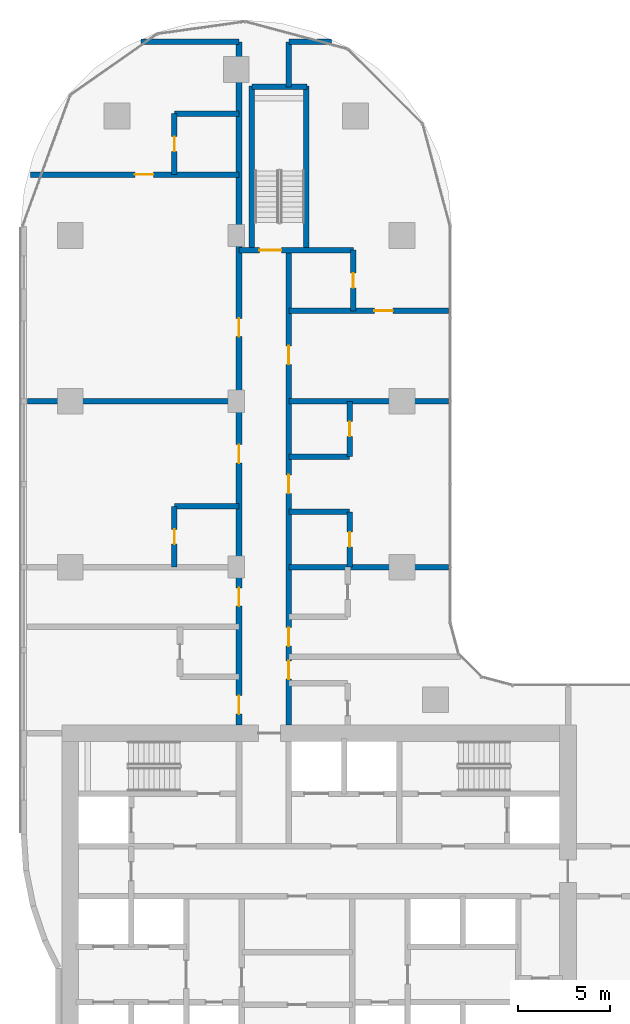
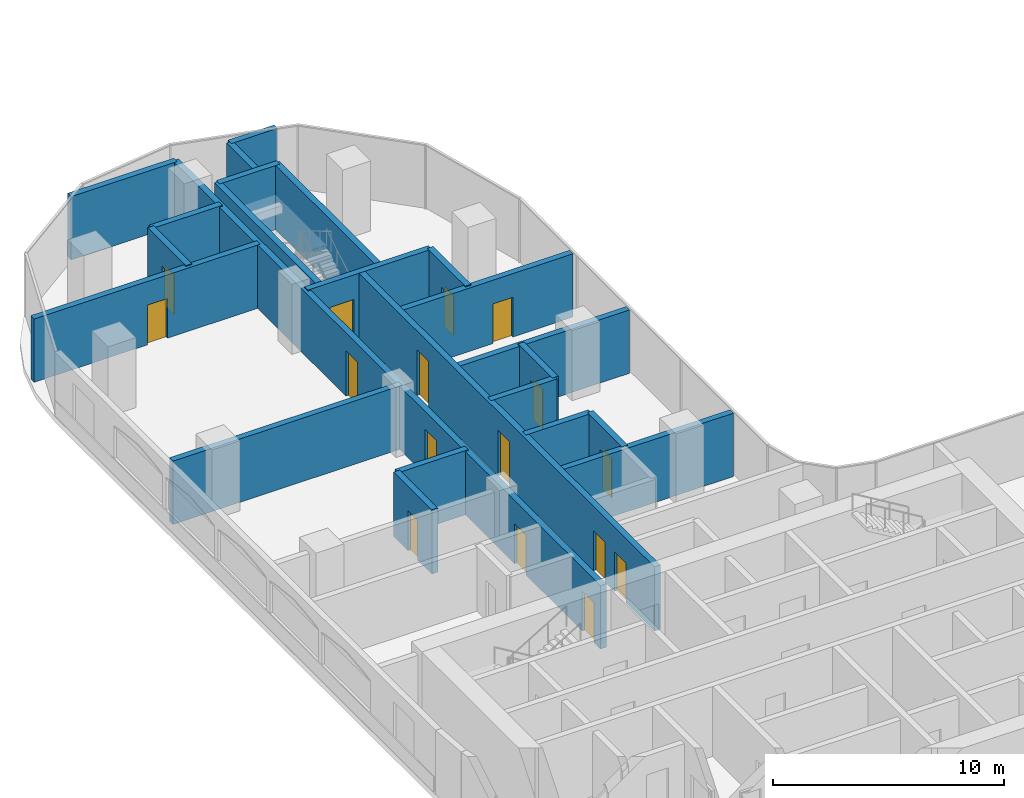
# One storey, part 21 of 34: 23 walls, 16 doors, 16 openings.
"""IFC4 building model written with IfcOpenShell, lengths in metres."""

import ifcopenshell
import ifcopenshell.guid

model = None  # the IFC model being written
_history = None  # IfcOwnerHistory: only IFC2X3 demands one
_inside = {}  # id of a spatial element -> (the spatial element, [elements in it])
_under = {}  # id of a project, library or spatial element -> (it, [spatial elements below it])
_declared = {}  # id of a project -> (the project, [libraries it declares])
_typed = {}  # id of a type object -> (the type object, [elements of that type])
_made_of = {}  # id of a material, layer set ... -> (it, [elements and type objects made of it])


def new_model(schema):
    """Start an empty IFC model of exactly this schema.

    Asked for "IFC4X3", IfcOpenShell would pick the latest addendum, in which some entities
    have other attributes; the version numbers below select the first issue.
    IFC2X3 requires an IfcOwnerHistory on every rooted entity: one is made here for all.
    """
    global model, _history
    if schema == "IFC4X3":
        model = ifcopenshell.file(schema_version=(4, 3, 0, 0))
    else:
        model = ifcopenshell.file(schema=schema)
    _inside.clear()
    _under.clear()
    _declared.clear()
    _typed.clear()
    _made_of.clear()
    _history = None
    if model.schema == "IFC2X3":
        org = make("IfcOrganization", Name="unknown")
        user = make(
            "IfcPersonAndOrganization",
            ThePerson=make("IfcPerson", FamilyName="unknown"),
            TheOrganization=org,
        )
        app = make(
            "IfcApplication",
            ApplicationDeveloper=org,
            Version="unknown",
            ApplicationFullName="unknown",
            ApplicationIdentifier="unknown",
        )
        _history = make(
            "IfcOwnerHistory",
            OwningUser=user,
            OwningApplication=app,
            ChangeAction="ADDED",
            CreationDate=0,
        )
    return model


def make(cls, **values):
    """One entity of the class cls with the attributes given. An attribute that is None is left unset."""
    return model.create_entity(
        cls, **{name: value for name, value in values.items() if value is not None}
    )


def rooted(cls, **values):
    """An entity with a GlobalId (a new one), such as an element, a storey or a relation."""
    return make(cls, GlobalId=ifcopenshell.guid.new(), OwnerHistory=_history, **values)


def si_unit(unit_type, name, prefix=None):
    """IfcSIUnit, for example si_unit("LENGTHUNIT", "METRE", prefix="MILLI")."""
    return make("IfcSIUnit", UnitType=unit_type, Prefix=prefix, Name=name)


def assignment(units):
    """IfcUnitAssignment: the units of a project."""
    return None if units is None else make("IfcUnitAssignment", Units=units)


def point(xyz):
    """IfcCartesianPoint."""
    return None if xyz is None else make("IfcCartesianPoint", Coordinates=xyz)


def direction(xyz):
    """IfcDirection."""
    return None if xyz is None else make("IfcDirection", DirectionRatios=xyz)


def frame(location, z_axis=None, x_axis=None):
    """IfcAxis2Placement3D, a coordinate frame: its origin and axes. An axis left out is left unset."""
    return make(
        "IfcAxis2Placement3D",
        Location=point(location),
        Axis=direction(z_axis),
        RefDirection=direction(x_axis),
    )


def frame_2d(location, x_axis=None):
    """IfcAxis2Placement2D, a coordinate frame in the plane: its origin and x axis."""
    return make(
        "IfcAxis2Placement2D", Location=point(location), RefDirection=direction(x_axis)
    )


def origin():
    """The frame at (0, 0, 0) with its axes left unset."""
    return frame((0.0, 0.0, 0.0))


def place(relative_to, where):
    """IfcLocalPlacement: puts the frame where relative to a parent placement (None: the world)."""
    return make(
        "IfcLocalPlacement", PlacementRelTo=relative_to, RelativePlacement=where
    )


def context(
    kind, dimensions, precision=None, world=None, true_north=None, identifier=None
):
    """IfcGeometricRepresentationContext, for example the 3D "Model" context."""
    return make(
        "IfcGeometricRepresentationContext",
        ContextIdentifier=identifier,
        ContextType=kind,
        CoordinateSpaceDimension=dimensions,
        Precision=precision,
        WorldCoordinateSystem=world,
        TrueNorth=true_north,
    )


def subcontext(parent, identifier, kind, view, scale=None):
    """IfcGeometricRepresentationSubContext, for example "Body" below "Model"."""
    return make(
        "IfcGeometricRepresentationSubContext",
        ContextIdentifier=identifier,
        ContextType=kind,
        ParentContext=parent,
        TargetScale=scale,
        TargetView=view,
    )


def project(units=None, contexts=None):
    """IfcProject with its units and contexts."""
    return rooted(
        "IfcProject",
        Name="project",
        RepresentationContexts=contexts,
        UnitsInContext=assignment(units),
    )


def spatial(cls, under=None, at=None, **own):
    """A site, building, storey or space (cls), placed at a placement, below another one or the project."""
    s = rooted(cls, ObjectPlacement=at, **own)
    if under is not None:
        _under.setdefault(under.id(), (under, []))[1].append(s)
    return s


def profile(cls, at=None, kind="AREA", **sizes):
    """A parametric profile (cls). Its sizes go by their IFC names, for example OverallWidth=200.0."""
    return make(cls, ProfileType=kind, Position=at, **sizes)


def rectangle(**sizes):
    """IfcRectangleProfileDef."""
    return profile("IfcRectangleProfileDef", **sizes)


def extrude(swept, where, along, depth):
    """IfcExtrudedAreaSolid: the profile swept, set in the frame where, extruded along a direction by depth."""
    return make(
        "IfcExtrudedAreaSolid",
        SweptArea=swept,
        Position=where,
        ExtrudedDirection=direction(along),
        Depth=depth,
    )


def shape(context_of_items, identifier, shape_type, items):
    """IfcShapeRepresentation: the items that make up one representation, for example the "Body"."""
    return make(
        "IfcShapeRepresentation",
        ContextOfItems=context_of_items,
        RepresentationIdentifier=identifier,
        RepresentationType=shape_type,
        Items=items,
    )


def material(Name=None, Category=None):
    """IfcMaterial."""
    return make("IfcMaterial", Name=Name, Category=Category)


def layer(
    of_material, thickness, ventilated=None, Name=None, Category=None, Priority=None
):
    """IfcMaterialLayer: one layer of a wall or slab, of a material (None: an air gap)."""
    return make(
        "IfcMaterialLayer",
        Material=of_material,
        LayerThickness=thickness,
        IsVentilated=ventilated,
        Name=Name,
        Category=Category,
        Priority=Priority,
    )


def layer_set(layers, Name=None):
    """IfcMaterialLayerSet."""
    return make("IfcMaterialLayerSet", MaterialLayers=layers, LayerSetName=Name)


def made_of(thing, what):
    """Note that an element or type object is made of a material, layer set ...; save() writes the relation."""
    if what is not None:
        _made_of.setdefault(what.id(), (what, []))[1].append(thing)
    return thing


def type_object(cls, material=None, **own):
    """A type object (cls), such as IfcWallType, which elements share."""
    return made_of(rooted(cls, **own), material)


def element(
    cls,
    number,
    at=None,
    inside=None,
    cuts=None,
    type_object=None,
    material=None,
    context=None,
    identifier="Body",
    shape_type=None,
    held_by="IfcProductDefinitionShape",
    body=None,
    shapes=None,
    **own,
):
    """One element of the class cls, such as IfcWall. Its Tag is "e" and its number.

    at: its placement. inside: the storey or other place that contains it. cuts: it is an
    opening in that element (IfcRelVoidsElement). A single representation is given by context,
    identifier, shape_type and body (its items); several are given by shapes. held_by: the class
    of the entity that holds the representations. save() writes the other relations.
    """
    e = rooted(cls, Tag="e%d" % number, ObjectPlacement=at, **own)
    if body is not None:
        shapes = [shape(context, identifier, shape_type, body)]
    if shapes is not None:
        e.Representation = make(held_by, Representations=shapes)
    if inside is not None:
        _inside.setdefault(inside.id(), (inside, []))[1].append(e)
    if cuts is not None:
        rooted(
            "IfcRelVoidsElement", RelatingBuildingElement=cuts, RelatedOpeningElement=e
        )
    if type_object is not None:
        _typed.setdefault(type_object.id(), (type_object, []))[1].append(e)
    return made_of(e, material)


def fill(opening, filler):
    """IfcRelFillsElement: the door or window that sits in an opening."""
    return rooted(
        "IfcRelFillsElement",
        RelatingOpeningElement=opening,
        RelatedBuildingElement=filler,
    )


def aggregate(whole, parts):
    """IfcRelAggregates: a whole, such as a stair, and the parts it consists of."""
    return rooted("IfcRelAggregates", RelatingObject=whole, RelatedObjects=parts)


def save(model, path):
    """Write the relations noted so far, then the file.

    IfcRelAggregates (storeys below a building ...), IfcRelContainedInSpatialStructure (elements
    in a storey), IfcRelDefinesByType, IfcRelAssociatesMaterial and IfcRelDeclares: one each for
    every whole, place, type object, material and project.
    """
    for whole, parts in _under.values():
        aggregate(whole, parts)
    for where, things in _inside.values():
        rooted(
            "IfcRelContainedInSpatialStructure",
            RelatedElements=things,
            RelatingStructure=where,
        )
    for kind, things in _typed.values():
        rooted("IfcRelDefinesByType", RelatedObjects=things, RelatingType=kind)
    for what, things in _made_of.values():
        rooted("IfcRelAssociatesMaterial", RelatedObjects=things, RelatingMaterial=what)
    for by, libraries in _declared.values():
        rooted("IfcRelDeclares", RelatingContext=by, RelatedDefinitions=libraries)
    model.write(path)


model = new_model("IFC4")

# Units and contexts
model_context = context("Model", 3, precision=1e-05, world=origin(), true_north=direction((0.0, 1.0)))
body_context = subcontext(model_context, "Body", "Model", "MODEL_VIEW")
ifc_project = project(units=[si_unit("LENGTHUNIT", "METRE"), si_unit("AREAUNIT", "SQUARE_METRE"), si_unit("VOLUMEUNIT", "CUBIC_METRE"), si_unit("PLANEANGLEUNIT", "RADIAN"), si_unit("MASSUNIT", "GRAM", prefix="KILO")], contexts=[model_context])

# Site, building, storey
site_placement = place(None, origin())
site = spatial("IfcSite", under=ifc_project, at=site_placement, CompositionType="ELEMENT")
building_placement = place(site_placement, origin())
building = spatial("IfcBuilding", under=site, at=building_placement, Name="Ogive Portal Towers", CompositionType="ELEMENT")
storey_placement = place(building_placement, frame((0.0, 0.0, 66.800048828125)))
storey = spatial("IfcBuildingStorey", under=building, at=storey_placement, Name="L15", CompositionType="ELEMENT", Elevation=66.800048828125)

# Wall, opening, door
ifc_material_1 = material(Name="Concrete C50/60", Category="concrete")
ifc_layer_1 = layer(ifc_material_1, 0.300048828125)
ifc_layer_set_1 = layer_set([ifc_layer_1], Name="STAIR WALL 300 C50")
wall_type_1 = type_object("IfcWallType", Name="STAIR WALL 300 C50", PredefinedType="SHEAR", material=ifc_layer_set_1)
wall_1_placement = place(storey_placement, frame((40.64990234375, 65.699951171875, 0.0), z_axis=(0.0, 0.0, 1.0), x_axis=(1.0, 0.0, 0.0)))
wall_1 = element("IfcWall", 1, at=wall_1_placement, inside=storey, type_object=wall_type_1, Name="Stair wall ST-A3 L15", PredefinedType="SHEAR", context=body_context, shape_type="SweptSolid", body=[
    extrude(rectangle(XDim=6.2001953125, YDim=0.300048828125, at=frame_2d((3.10009765625, 0.0))), origin(), (0.0, 0.0, 1.0), 3.39990234375),
])
opening_1_placement = place(wall_1_placement, frame((1.10009765625, 0.0, 0.0)))
opening_1 = element("IfcOpeningElement", 2, at=opening_1_placement, cuts=wall_1, Name="Opening D04-064", PredefinedType="OPENING", context=body_context, shape_type="SweptSolid", body=[
    extrude(rectangle(XDim=1.199951171875, YDim=2.10009765625, at=frame_2d((0.60009765625, 1.050048828125))), frame((0.0, 0.16015625, 0.0), z_axis=(0.0, -1.0, 0.0), x_axis=(1.0, 0.0, 0.0)), (0.0, 0.0, 1.0), 0.320068359375),
])
ifc_material_2 = material(Name="Steel fire door", Category="steel")
door_type_1 = type_object("IfcDoorType", Name="DT-STAIR-1200x2100-FD90S", OperationType="SINGLE_SWING_LEFT", PredefinedType="DOOR", material=ifc_material_2)
door_1_placement = place(opening_1_placement, origin())
door_1 = element("IfcDoor", 3, at=door_1_placement, inside=storey, type_object=door_type_1, Name="Door D04-064", OperationType="SINGLE_SWING_RIGHT", OverallHeight=2.10009765625, OverallWidth=1.199951171875, PredefinedType="DOOR", context=body_context, shape_type="SweptSolid", body=[
    extrude(rectangle(XDim=1.199951171875, YDim=2.10009765625, at=frame_2d((0.60009765625, 1.050048828125))), frame((0.0, 0.02490234375, 0.0), z_axis=(0.0, -1.0, 0.0), x_axis=(1.0, 0.0, 0.0)), (0.0, 0.0, 1.0), 0.050048828125),
])
fill(opening_1, door_1)

# Walls
wall_2_placement = place(storey_placement, frame((41.35009765625, 74.550048828125, 0.0), z_axis=(0.0, 0.0, 1.0), x_axis=(1.0, 0.0, 0.0)))
element("IfcWall", 4, at=wall_2_placement, inside=storey, type_object=wall_type_1, Name="Stair wall ST-A3 L15", PredefinedType="SHEAR", context=body_context, shape_type="SweptSolid", body=[
    extrude(rectangle(XDim=3.0, YDim=0.300048828125, at=frame_2d((1.5, 0.0))), origin(), (0.0, 0.0, 1.0), 3.39990234375),
])
wall_3_placement = place(storey_placement, frame((41.35009765625, 65.75, 0.0), z_axis=(0.0, 0.0, 1.0), x_axis=(0.0, 1.0, 0.0)))
element("IfcWall", 5, at=wall_3_placement, inside=storey, type_object=wall_type_1, Name="Stair wall ST-A3 L15", PredefinedType="SHEAR", context=body_context, shape_type="SweptSolid", body=[
    extrude(rectangle(XDim=8.85009765625, YDim=0.300048828125, at=frame_2d((4.425048828125, 0.0))), origin(), (0.0, 0.0, 1.0), 3.39990234375),
])
wall_4_placement = place(storey_placement, frame((44.300048828125, 65.699951171875, 0.0), z_axis=(0.0, 0.0, 1.0), x_axis=(0.0, 1.0, 0.0)))
element("IfcWall", 6, at=wall_4_placement, inside=storey, type_object=wall_type_1, Name="Stair wall ST-A3 L15", PredefinedType="SHEAR", context=body_context, shape_type="SweptSolid", body=[
    extrude(rectangle(XDim=8.900146484375, YDim=0.300048828125, at=frame_2d((4.4501953125, 0.0))), origin(), (0.0, 0.0, 1.0), 3.39990234375),
])
ifc_material_3 = material(Name="Gypsum board partition on steel studs", Category="steel")
ifc_layer_2 = layer(ifc_material_3, 0.300048828125)
ifc_layer_set_2 = layer_set([ifc_layer_2], Name="WT-PART-300-EI 60")
wall_type_2 = type_object("IfcWallType", Name="WT-PART-300-EI 60", PredefinedType="PARTITIONING", material=ifc_layer_set_2)
wall_5_placement = place(storey_placement, frame((43.35009765625, 48.5, 0.0), z_axis=(0.0, 0.0, 1.0), x_axis=(1.0, 0.0, 0.0)))
element("IfcWall", 7, at=wall_5_placement, inside=storey, type_object=wall_type_2, Name="Wall L15:w020", PredefinedType="PARTITIONING", context=body_context, shape_type="SweptSolid", body=[
    extrude(rectangle(XDim=8.659912109375, YDim=0.300048828125, at=frame_2d((4.330078125, 0.0))), origin(), (0.0, 0.0, 1.0), 3.349853515625),
])
wall_6_placement = place(storey_placement, frame((43.35009765625, 51.5, 0.0), z_axis=(0.0, 0.0, 1.0), x_axis=(1.0, 0.0, 0.0)))
element("IfcWall", 8, at=wall_6_placement, inside=storey, type_object=wall_type_2, Name="Wall L15:w021", PredefinedType="PARTITIONING", context=body_context, shape_type="SweptSolid", body=[
    extrude(rectangle(XDim=3.2998046875, YDim=0.300048828125, at=frame_2d((1.64990234375, 0.0))), origin(), (0.0, 0.0, 1.0), 3.39990234375),
])
wall_7_placement = place(storey_placement, frame((37.14990234375, 51.800048828125, 0.0), z_axis=(0.0, 0.0, 1.0), x_axis=(1.0, 0.0, 0.0)))
element("IfcWall", 9, at=wall_7_placement, inside=storey, type_object=wall_type_2, Name="Wall L15:w022", PredefinedType="PARTITIONING", context=body_context, shape_type="SweptSolid", body=[
    extrude(rectangle(XDim=3.5, YDim=0.300048828125, at=frame_2d((1.75, 0.0))), origin(), (0.0, 0.0, 1.0), 3.39990234375),
])
wall_8_placement = place(storey_placement, frame((43.35009765625, 54.5, 0.0), z_axis=(0.0, 0.0, 1.0), x_axis=(1.0, 0.0, 0.0)))
element("IfcWall", 10, at=wall_8_placement, inside=storey, type_object=wall_type_2, Name="Wall L15:w023", PredefinedType="PARTITIONING", context=body_context, shape_type="SweptSolid", body=[
    extrude(rectangle(XDim=3.2998046875, YDim=0.300048828125, at=frame_2d((1.64990234375, 0.0))), origin(), (0.0, 0.0, 1.0), 3.39990234375),
])
wall_9_placement = place(storey_placement, frame((29.169921875, 57.5, 0.0), z_axis=(0.0, 0.0, 1.0), x_axis=(1.0, 0.0, 0.0)))
element("IfcWall", 11, at=wall_9_placement, inside=storey, type_object=wall_type_2, Name="Wall L15:w024", PredefinedType="PARTITIONING", context=body_context, shape_type="SweptSolid", body=[
    extrude(rectangle(XDim=11.47998046875, YDim=0.300048828125, at=frame_2d((5.739990234375, 0.0))), origin(), (0.0, 0.0, 1.0), 3.349853515625),
])
wall_10_placement = place(storey_placement, frame((43.35009765625, 57.5, 0.0), z_axis=(0.0, 0.0, 1.0), x_axis=(1.0, 0.0, 0.0)))
element("IfcWall", 12, at=wall_10_placement, inside=storey, type_object=wall_type_2, Name="Wall L15:w025", PredefinedType="PARTITIONING", context=body_context, shape_type="SweptSolid", body=[
    extrude(rectangle(XDim=8.659912109375, YDim=0.300048828125, at=frame_2d((4.330078125, 0.0))), origin(), (0.0, 0.0, 1.0), 3.349853515625),
])

# Wall, opening, door
wall_11_placement = place(storey_placement, frame((43.35009765625, 62.39990234375, 0.0), z_axis=(0.0, 0.0, 1.0), x_axis=(1.0, 0.0, 0.0)))
wall_11 = element("IfcWall", 13, at=wall_11_placement, inside=storey, type_object=wall_type_2, Name="Wall L15:w026", PredefinedType="PARTITIONING", context=body_context, shape_type="SweptSolid", body=[
    extrude(rectangle(XDim=8.659912109375, YDim=0.300048828125, at=frame_2d((4.330078125, 0.0))), origin(), (0.0, 0.0, 1.0), 3.349853515625),
])
opening_2_placement = place(wall_11_placement, frame((4.64990234375, 0.0, 0.0)))
opening_2 = element("IfcOpeningElement", 14, at=opening_2_placement, cuts=wall_11, Name="Opening D04-055", PredefinedType="OPENING", context=body_context, shape_type="SweptSolid", body=[
    extrude(rectangle(XDim=1.0, YDim=2.10009765625, at=frame_2d((0.5, 1.050048828125))), frame((0.0, 0.16015625, 0.0), z_axis=(0.0, -1.0, 0.0), x_axis=(1.0, 0.0, 0.0)), (0.0, 0.0, 1.0), 0.320068359375),
])
door_type_2 = type_object("IfcDoorType", Name="DT-ENTRY-1000x2100-FD60S", OperationType="SINGLE_SWING_LEFT", PredefinedType="DOOR", material=ifc_material_2)
door_2_placement = place(opening_2_placement, origin())
door_2 = element("IfcDoor", 15, at=door_2_placement, inside=storey, type_object=door_type_2, Name="Door D04-055", OperationType="SINGLE_SWING_RIGHT", OverallHeight=2.10009765625, OverallWidth=1.0, PredefinedType="DOOR", context=body_context, shape_type="SweptSolid", body=[
    extrude(rectangle(XDim=1.0, YDim=2.10009765625, at=frame_2d((0.5, 1.050048828125))), frame((0.0, 0.02490234375, 0.0), z_axis=(0.0, -1.0, 0.0), x_axis=(1.0, 0.0, 0.0)), (0.0, 0.0, 1.0), 0.050048828125),
])
fill(opening_2, door_2)

wall_12_placement = place(storey_placement, frame((29.3330078125, 69.800048828125, 0.0), z_axis=(0.0, 0.0, 1.0), x_axis=(1.0, 0.0, 0.0)))
wall_12 = element("IfcWall", 16, at=wall_12_placement, inside=storey, type_object=wall_type_2, Name="Wall L15:w028", PredefinedType="PARTITIONING", context=body_context, shape_type="SweptSolid", body=[
    extrude(rectangle(XDim=11.31689453125, YDim=0.300048828125, at=frame_2d((5.658447265625, 0.0))), origin(), (0.0, 0.0, 1.0), 3.349853515625),
])
opening_3_placement = place(wall_12_placement, frame((5.6669921875, 0.0, 0.0)))
opening_3 = element("IfcOpeningElement", 17, at=opening_3_placement, cuts=wall_12, Name="Opening D04-058", PredefinedType="OPENING", context=body_context, shape_type="SweptSolid", body=[
    extrude(rectangle(XDim=1.0, YDim=2.10009765625, at=frame_2d((0.5, 1.050048828125))), frame((0.0, 0.16015625, 0.0), z_axis=(0.0, -1.0, 0.0), x_axis=(1.0, 0.0, 0.0)), (0.0, 0.0, 1.0), 0.320068359375),
])
door_3_placement = place(opening_3_placement, origin())
door_3 = element("IfcDoor", 18, at=door_3_placement, inside=storey, type_object=door_type_2, Name="Door D04-058", OperationType="SINGLE_SWING_RIGHT", OverallHeight=2.10009765625, OverallWidth=1.0, PredefinedType="DOOR", context=body_context, shape_type="SweptSolid", body=[
    extrude(rectangle(XDim=1.0, YDim=2.10009765625, at=frame_2d((0.5, 1.050048828125))), frame((0.0, 0.02490234375, 0.0), z_axis=(0.0, -1.0, 0.0), x_axis=(1.0, 0.0, 0.0)), (0.0, 0.0, 1.0), 0.050048828125),
])
fill(opening_3, door_3)

# Walls
wall_13_placement = place(storey_placement, frame((37.14990234375, 73.10009765625, 0.0), z_axis=(0.0, 0.0, 1.0), x_axis=(1.0, 0.0, 0.0)))
element("IfcWall", 19, at=wall_13_placement, inside=storey, type_object=wall_type_2, Name="Wall L15:w029", PredefinedType="PARTITIONING", context=body_context, shape_type="SweptSolid", body=[
    extrude(rectangle(XDim=3.5, YDim=0.300048828125, at=frame_2d((1.75, 0.0))), origin(), (0.0, 0.0, 1.0), 3.39990234375),
])
wall_14_placement = place(storey_placement, frame((35.337890625, 77.0, 0.0), z_axis=(0.0, 0.0, 1.0), x_axis=(1.0, 0.0, 0.0)))
element("IfcWall", 20, at=wall_14_placement, inside=storey, type_object=wall_type_2, Name="Wall L15:w031", PredefinedType="PARTITIONING", context=body_context, shape_type="SweptSolid", body=[
    extrude(rectangle(XDim=5.31201171875, YDim=0.300048828125, at=frame_2d((2.656005859375, 0.0))), origin(), (0.0, 0.0, 1.0), 3.349853515625),
])
wall_15_placement = place(storey_placement, frame((43.35009765625, 77.0, 0.0), z_axis=(0.0, 0.0, 1.0), x_axis=(1.0, 0.0, 0.0)))
element("IfcWall", 21, at=wall_15_placement, inside=storey, type_object=wall_type_2, Name="Wall L15:w032", PredefinedType="PARTITIONING", context=body_context, shape_type="SweptSolid", body=[
    extrude(rectangle(XDim=2.31201171875, YDim=0.300048828125, at=frame_2d((1.156005859375, 0.0))), origin(), (0.0, 0.0, 1.0), 3.349853515625),
])

# Wall, opening, door
wall_16_placement = place(storey_placement, frame((37.14990234375, 48.5, 0.0), z_axis=(0.0, 0.0, 1.0), x_axis=(0.0, 1.0, 0.0)))
wall_16 = element("IfcWall", 22, at=wall_16_placement, inside=storey, type_object=wall_type_2, Name="Wall L15:w033", PredefinedType="PARTITIONING", context=body_context, shape_type="SweptSolid", body=[
    extrude(rectangle(XDim=3.300048828125, YDim=0.300048828125, at=frame_2d((1.64990234375, 0.0))), origin(), (0.0, 0.0, 1.0), 3.39990234375),
])
opening_4_placement = place(wall_16_placement, frame((1.25, 0.0, 0.0)))
opening_4 = element("IfcOpeningElement", 23, at=opening_4_placement, cuts=wall_16, Name="Opening D04-052", PredefinedType="OPENING", context=body_context, shape_type="SweptSolid", body=[
    extrude(rectangle(XDim=0.800048828125, YDim=2.10009765625, at=frame_2d((0.39990234375, 1.050048828125))), frame((0.0, 0.16015625, 0.0), z_axis=(0.0, -1.0, 0.0), x_axis=(1.0, 0.0, 0.0)), (0.0, 0.0, 1.0), 0.320068359375),
])
door_type_3 = type_object("IfcDoorType", Name="DT-BATH-800x2100-FD60S", OperationType="SINGLE_SWING_LEFT", PredefinedType="DOOR", material=ifc_material_2)
door_4_placement = place(opening_4_placement, origin())
door_4 = element("IfcDoor", 24, at=door_4_placement, inside=storey, type_object=door_type_3, Name="Door D04-052", OperationType="SINGLE_SWING_LEFT", OverallHeight=2.10009765625, OverallWidth=0.800048828125, PredefinedType="DOOR", context=body_context, shape_type="SweptSolid", body=[
    extrude(rectangle(XDim=0.800048828125, YDim=2.10009765625, at=frame_2d((0.39990234375, 1.050048828125))), frame((0.0, 0.02490234375, 0.0), z_axis=(0.0, -1.0, 0.0), x_axis=(1.0, 0.0, 0.0)), (0.0, 0.0, 1.0), 0.050048828125),
])
fill(opening_4, door_4)

wall_17_placement = place(storey_placement, frame((37.14990234375, 69.800048828125, 0.0), z_axis=(0.0, 0.0, 1.0), x_axis=(0.0, 1.0, 0.0)))
wall_17 = element("IfcWall", 25, at=wall_17_placement, inside=storey, type_object=wall_type_2, Name="Wall L15:w034", PredefinedType="PARTITIONING", context=body_context, shape_type="SweptSolid", body=[
    extrude(rectangle(XDim=3.300048828125, YDim=0.300048828125, at=frame_2d((1.64990234375, 0.0))), origin(), (0.0, 0.0, 1.0), 3.39990234375),
])
opening_5_placement = place(wall_17_placement, frame((1.25, 0.0, 0.0)))
opening_5 = element("IfcOpeningElement", 26, at=opening_5_placement, cuts=wall_17, Name="Opening D04-059", PredefinedType="OPENING", context=body_context, shape_type="SweptSolid", body=[
    extrude(rectangle(XDim=0.800048828125, YDim=2.10009765625, at=frame_2d((0.39990234375, 1.050048828125))), frame((0.0, 0.16015625, 0.0), z_axis=(0.0, -1.0, 0.0), x_axis=(1.0, 0.0, 0.0)), (0.0, 0.0, 1.0), 0.320068359375),
])
door_5_placement = place(opening_5_placement, origin())
door_5 = element("IfcDoor", 27, at=door_5_placement, inside=storey, type_object=door_type_3, Name="Door D04-059", OperationType="SINGLE_SWING_LEFT", OverallHeight=2.10009765625, OverallWidth=0.800048828125, PredefinedType="DOOR", context=body_context, shape_type="SweptSolid", body=[
    extrude(rectangle(XDim=0.800048828125, YDim=2.10009765625, at=frame_2d((0.39990234375, 1.050048828125))), frame((0.0, 0.02490234375, 0.0), z_axis=(0.0, -1.0, 0.0), x_axis=(1.0, 0.0, 0.0)), (0.0, 0.0, 1.0), 0.050048828125),
])
fill(opening_5, door_5)

# Wall, openings, doors
wall_18_placement = place(storey_placement, frame((40.64990234375, 39.949951171875, 0.0), z_axis=(0.0, 0.0, 1.0), x_axis=(0.0, 1.0, 0.0)))
wall_18 = element("IfcWall", 28, at=wall_18_placement, inside=storey, type_object=wall_type_2, Name="Wall L15:w036", PredefinedType="PARTITIONING", context=body_context, shape_type="SweptSolid", body=[
    extrude(rectangle(XDim=37.050048828125, YDim=0.300048828125, at=frame_2d((18.52490234375, 0.0))), origin(), (0.0, 0.0, 1.0), 3.349853515625),
])
opening_6_placement = place(wall_18_placement, frame((0.580078125, 0.0, 0.0)))
opening_6 = element("IfcOpeningElement", 29, at=opening_6_placement, cuts=wall_18, Name="Opening D04-047", PredefinedType="OPENING", context=body_context, shape_type="SweptSolid", body=[
    extrude(rectangle(XDim=1.0, YDim=2.10009765625, at=frame_2d((0.5, 1.050048828125))), frame((0.0, 0.16015625, 0.0), z_axis=(0.0, -1.0, 0.0), x_axis=(1.0, 0.0, 0.0)), (0.0, 0.0, 1.0), 0.320068359375),
])
opening_7_placement = place(wall_18_placement, frame((6.429931640625, 0.0, 0.0)))
opening_7 = element("IfcOpeningElement", 30, at=opening_7_placement, cuts=wall_18, Name="Opening D04-048", PredefinedType="OPENING", context=body_context, shape_type="SweptSolid", body=[
    extrude(rectangle(XDim=1.0, YDim=2.10009765625, at=frame_2d((0.5, 1.050048828125))), frame((0.0, 0.16015625, 0.0), z_axis=(0.0, -1.0, 0.0), x_axis=(1.0, 0.0, 0.0)), (0.0, 0.0, 1.0), 0.320068359375),
])
opening_8_placement = place(wall_18_placement, frame((14.199951171875, 0.0, 0.0)))
opening_8 = element("IfcOpeningElement", 31, at=opening_8_placement, cuts=wall_18, Name="Opening D04-053", PredefinedType="OPENING", context=body_context, shape_type="SweptSolid", body=[
    extrude(rectangle(XDim=1.0, YDim=2.39990234375, at=frame_2d((0.5, 1.199951171875))), frame((0.0, 0.16015625, 0.0), z_axis=(0.0, -1.0, 0.0), x_axis=(1.0, 0.0, 0.0)), (0.0, 0.0, 1.0), 0.320068359375),
])
opening_9_placement = place(wall_18_placement, frame((21.050048828125, 0.0, 0.0)))
opening_9 = element("IfcOpeningElement", 32, at=opening_9_placement, cuts=wall_18, Name="Opening D04-057", PredefinedType="OPENING", context=body_context, shape_type="SweptSolid", body=[
    extrude(rectangle(XDim=1.0, YDim=2.39990234375, at=frame_2d((0.5, 1.199951171875))), frame((0.0, 0.16015625, 0.0), z_axis=(0.0, -1.0, 0.0), x_axis=(1.0, 0.0, 0.0)), (0.0, 0.0, 1.0), 0.320068359375),
])
door_6_placement = place(opening_6_placement, origin())
door_6 = element("IfcDoor", 33, at=door_6_placement, inside=storey, type_object=door_type_2, Name="Door D04-047", OperationType="SINGLE_SWING_RIGHT", OverallHeight=2.10009765625, OverallWidth=1.0, PredefinedType="DOOR", context=body_context, shape_type="SweptSolid", body=[
    extrude(rectangle(XDim=1.0, YDim=2.10009765625, at=frame_2d((0.5, 1.050048828125))), frame((0.0, 0.02490234375, 0.0), z_axis=(0.0, -1.0, 0.0), x_axis=(1.0, 0.0, 0.0)), (0.0, 0.0, 1.0), 0.050048828125),
])
fill(opening_6, door_6)
door_7_placement = place(opening_7_placement, origin())
door_7 = element("IfcDoor", 34, at=door_7_placement, inside=storey, type_object=door_type_2, Name="Door D04-048", OperationType="SINGLE_SWING_LEFT", OverallHeight=2.10009765625, OverallWidth=1.0, PredefinedType="DOOR", context=body_context, shape_type="SweptSolid", body=[
    extrude(rectangle(XDim=1.0, YDim=2.10009765625, at=frame_2d((0.5, 1.050048828125))), frame((0.0, 0.02490234375, 0.0), z_axis=(0.0, -1.0, 0.0), x_axis=(1.0, 0.0, 0.0)), (0.0, 0.0, 1.0), 0.050048828125),
])
fill(opening_7, door_7)
door_type_4 = type_object("IfcDoorType", Name="DT-ENTRY-1000x2400-FD60S", OperationType="SINGLE_SWING_LEFT", PredefinedType="DOOR", material=ifc_material_2)
door_8_placement = place(opening_8_placement, origin())
door_8 = element("IfcDoor", 35, at=door_8_placement, inside=storey, type_object=door_type_4, Name="Door D04-053", OperationType="SINGLE_SWING_RIGHT", OverallHeight=2.39990234375, OverallWidth=1.0, PredefinedType="DOOR", context=body_context, shape_type="SweptSolid", body=[
    extrude(rectangle(XDim=1.0, YDim=2.39990234375, at=frame_2d((0.5, 1.199951171875))), frame((0.0, 0.02490234375, 0.0), z_axis=(0.0, -1.0, 0.0), x_axis=(1.0, 0.0, 0.0)), (0.0, 0.0, 1.0), 0.050048828125),
])
fill(opening_8, door_8)
door_9_placement = place(opening_9_placement, origin())
door_9 = element("IfcDoor", 36, at=door_9_placement, inside=storey, type_object=door_type_4, Name="Door D04-057", OperationType="SINGLE_SWING_LEFT", OverallHeight=2.39990234375, OverallWidth=1.0, PredefinedType="DOOR", context=body_context, shape_type="SweptSolid", body=[
    extrude(rectangle(XDim=1.0, YDim=2.39990234375, at=frame_2d((0.5, 1.199951171875))), frame((0.0, 0.02490234375, 0.0), z_axis=(0.0, -1.0, 0.0), x_axis=(1.0, 0.0, 0.0)), (0.0, 0.0, 1.0), 0.050048828125),
])
fill(opening_9, door_9)

# Wall, opening, door
wall_19_placement = place(storey_placement, frame((46.64990234375, 48.5, 0.0), z_axis=(0.0, 0.0, 1.0), x_axis=(0.0, 1.0, 0.0)))
wall_19 = element("IfcWall", 37, at=wall_19_placement, inside=storey, type_object=wall_type_2, Name="Wall L15:w043", PredefinedType="PARTITIONING", context=body_context, shape_type="SweptSolid", body=[
    extrude(rectangle(XDim=3.0, YDim=0.300048828125, at=frame_2d((1.5, 0.0))), origin(), (0.0, 0.0, 1.0), 3.39990234375),
])
opening_10_placement = place(wall_19_placement, frame((1.10009765625, 0.0, 0.0)))
opening_10 = element("IfcOpeningElement", 38, at=opening_10_placement, cuts=wall_19, Name="Opening D04-049", PredefinedType="OPENING", context=body_context, shape_type="SweptSolid", body=[
    extrude(rectangle(XDim=0.800048828125, YDim=2.10009765625, at=frame_2d((0.39990234375, 1.050048828125))), frame((0.0, 0.16015625, 0.0), z_axis=(0.0, -1.0, 0.0), x_axis=(1.0, 0.0, 0.0)), (0.0, 0.0, 1.0), 0.320068359375),
])
door_10_placement = place(opening_10_placement, origin())
door_10 = element("IfcDoor", 39, at=door_10_placement, inside=storey, type_object=door_type_3, Name="Door D04-049", OperationType="SINGLE_SWING_LEFT", OverallHeight=2.10009765625, OverallWidth=0.800048828125, PredefinedType="DOOR", context=body_context, shape_type="SweptSolid", body=[
    extrude(rectangle(XDim=0.800048828125, YDim=2.10009765625, at=frame_2d((0.39990234375, 1.050048828125))), frame((0.0, 0.02490234375, 0.0), z_axis=(0.0, -1.0, 0.0), x_axis=(1.0, 0.0, 0.0)), (0.0, 0.0, 1.0), 0.050048828125),
])
fill(opening_10, door_10)

wall_20_placement = place(storey_placement, frame((46.64990234375, 54.5, 0.0), z_axis=(0.0, 0.0, 1.0), x_axis=(0.0, 1.0, 0.0)))
wall_20 = element("IfcWall", 40, at=wall_20_placement, inside=storey, type_object=wall_type_2, Name="Wall L15:w044", PredefinedType="PARTITIONING", context=body_context, shape_type="SweptSolid", body=[
    extrude(rectangle(XDim=3.0, YDim=0.300048828125, at=frame_2d((1.5, 0.0))), origin(), (0.0, 0.0, 1.0), 3.39990234375),
])
opening_11_placement = place(wall_20_placement, frame((1.10009765625, 0.0, 0.0)))
opening_11 = element("IfcOpeningElement", 41, at=opening_11_placement, cuts=wall_20, Name="Opening D04-050", PredefinedType="OPENING", context=body_context, shape_type="SweptSolid", body=[
    extrude(rectangle(XDim=0.800048828125, YDim=2.10009765625, at=frame_2d((0.39990234375, 1.050048828125))), frame((0.0, 0.16015625, 0.0), z_axis=(0.0, -1.0, 0.0), x_axis=(1.0, 0.0, 0.0)), (0.0, 0.0, 1.0), 0.320068359375),
])
door_11_placement = place(opening_11_placement, origin())
door_11 = element("IfcDoor", 42, at=door_11_placement, inside=storey, type_object=door_type_3, Name="Door D04-050", OperationType="SINGLE_SWING_LEFT", OverallHeight=2.10009765625, OverallWidth=0.800048828125, PredefinedType="DOOR", context=body_context, shape_type="SweptSolid", body=[
    extrude(rectangle(XDim=0.800048828125, YDim=2.10009765625, at=frame_2d((0.39990234375, 1.050048828125))), frame((0.0, 0.02490234375, 0.0), z_axis=(0.0, -1.0, 0.0), x_axis=(1.0, 0.0, 0.0)), (0.0, 0.0, 1.0), 0.050048828125),
])
fill(opening_11, door_11)

wall_21_placement = place(storey_placement, frame((46.85009765625, 62.39990234375, 0.0), z_axis=(0.0, 0.0, 1.0), x_axis=(0.0, 1.0, 0.0)))
wall_21 = element("IfcWall", 43, at=wall_21_placement, inside=storey, type_object=wall_type_2, Name="Wall L15:w045", PredefinedType="PARTITIONING", context=body_context, shape_type="SweptSolid", body=[
    extrude(rectangle(XDim=3.300048828125, YDim=0.300048828125, at=frame_2d((1.64990234375, 0.0))), origin(), (0.0, 0.0, 1.0), 3.39990234375),
])
opening_12_placement = place(wall_21_placement, frame((1.25, 0.0, 0.0)))
opening_12 = element("IfcOpeningElement", 44, at=opening_12_placement, cuts=wall_21, Name="Opening D04-056", PredefinedType="OPENING", context=body_context, shape_type="SweptSolid", body=[
    extrude(rectangle(XDim=0.800048828125, YDim=2.10009765625, at=frame_2d((0.39990234375, 1.050048828125))), frame((0.0, 0.16015625, 0.0), z_axis=(0.0, -1.0, 0.0), x_axis=(1.0, 0.0, 0.0)), (0.0, 0.0, 1.0), 0.320068359375),
])
door_12_placement = place(opening_12_placement, origin())
door_12 = element("IfcDoor", 45, at=door_12_placement, inside=storey, type_object=door_type_3, Name="Door D04-056", OperationType="SINGLE_SWING_LEFT", OverallHeight=2.10009765625, OverallWidth=0.800048828125, PredefinedType="DOOR", context=body_context, shape_type="SweptSolid", body=[
    extrude(rectangle(XDim=0.800048828125, YDim=2.10009765625, at=frame_2d((0.39990234375, 1.050048828125))), frame((0.0, 0.02490234375, 0.0), z_axis=(0.0, -1.0, 0.0), x_axis=(1.0, 0.0, 0.0)), (0.0, 0.0, 1.0), 0.050048828125),
])
fill(opening_12, door_12)

# Wall, openings, doors
ifc_material_4 = material(Name="Concrete C40/50", Category="concrete")
ifc_layer_3 = layer(ifc_material_4, 0.300048828125)
ifc_layer_set_3 = layer_set([ifc_layer_3], Name="WT-SHAFT-300")
wall_type_3 = type_object("IfcWallType", Name="WT-SHAFT-300", PredefinedType="SOLIDWALL", material=ifc_layer_set_3)
wall_22_placement = place(storey_placement, frame((43.35009765625, 39.949951171875, 0.0), z_axis=(0.0, 0.0, 1.0), x_axis=(0.0, 1.0, 0.0)))
wall_22 = element("IfcWall", 46, at=wall_22_placement, inside=storey, type_object=wall_type_3, Name="Wall L15:w038", PredefinedType="SOLIDWALL", context=body_context, shape_type="SweptSolid", body=[
    extrude(rectangle(XDim=25.800048828125, YDim=0.300048828125, at=frame_2d((12.89990234375, 0.0))), origin(), (0.0, 0.0, 1.0), 3.39990234375),
])
opening_13_placement = place(wall_22_placement, frame((2.469970703125, 0.0, 0.0)))
opening_13 = element("IfcOpeningElement", 47, at=opening_13_placement, cuts=wall_22, Name="Opening D04-043", PredefinedType="OPENING", context=body_context, shape_type="SweptSolid", body=[
    extrude(rectangle(XDim=1.0, YDim=2.10009765625, at=frame_2d((0.5, 1.050048828125))), frame((0.0, 0.16015625, 0.0), z_axis=(0.0, -1.0, 0.0), x_axis=(1.0, 0.0, 0.0)), (0.0, 0.0, 1.0), 0.320068359375),
])
opening_14_placement = place(wall_22_placement, frame((4.27001953125, 0.0, 0.0)))
opening_14 = element("IfcOpeningElement", 48, at=opening_14_placement, cuts=wall_22, Name="Opening D04-045", PredefinedType="OPENING", context=body_context, shape_type="SweptSolid", body=[
    extrude(rectangle(XDim=1.0, YDim=2.10009765625, at=frame_2d((0.5, 1.050048828125))), frame((0.0, 0.16015625, 0.0), z_axis=(0.0, -1.0, 0.0), x_axis=(1.0, 0.0, 0.0)), (0.0, 0.0, 1.0), 0.320068359375),
])
opening_15_placement = place(wall_22_placement, frame((12.550048828125, 0.0, 0.0)))
opening_15 = element("IfcOpeningElement", 49, at=opening_15_placement, cuts=wall_22, Name="Opening D04-051", PredefinedType="OPENING", context=body_context, shape_type="SweptSolid", body=[
    extrude(rectangle(XDim=1.0, YDim=2.39990234375, at=frame_2d((0.5, 1.199951171875))), frame((0.0, 0.16015625, 0.0), z_axis=(0.0, -1.0, 0.0), x_axis=(1.0, 0.0, 0.0)), (0.0, 0.0, 1.0), 0.320068359375),
])
opening_16_placement = place(wall_22_placement, frame((19.550048828125, 0.0, 0.0)))
opening_16 = element("IfcOpeningElement", 50, at=opening_16_placement, cuts=wall_22, Name="Opening D04-054", PredefinedType="OPENING", context=body_context, shape_type="SweptSolid", body=[
    extrude(rectangle(XDim=1.0, YDim=2.39990234375, at=frame_2d((0.5, 1.199951171875))), frame((0.0, 0.16015625, 0.0), z_axis=(0.0, -1.0, 0.0), x_axis=(1.0, 0.0, 0.0)), (0.0, 0.0, 1.0), 0.320068359375),
])
door_type_5 = type_object("IfcDoorType", Name="DT-ENTRY-1000x2100-FD90S", OperationType="SINGLE_SWING_LEFT", PredefinedType="DOOR", material=ifc_material_2)
door_13_placement = place(opening_13_placement, origin())
door_13 = element("IfcDoor", 51, at=door_13_placement, inside=storey, type_object=door_type_5, Name="Door D04-043", OperationType="SINGLE_SWING_LEFT", OverallHeight=2.10009765625, OverallWidth=1.0, PredefinedType="DOOR", context=body_context, shape_type="SweptSolid", body=[
    extrude(rectangle(XDim=1.0, YDim=2.10009765625, at=frame_2d((0.5, 1.050048828125))), frame((0.0, 0.02490234375, 0.0), z_axis=(0.0, -1.0, 0.0), x_axis=(1.0, 0.0, 0.0)), (0.0, 0.0, 1.0), 0.050048828125),
])
fill(opening_13, door_13)
door_14_placement = place(opening_14_placement, origin())
door_14 = element("IfcDoor", 52, at=door_14_placement, inside=storey, type_object=door_type_5, Name="Door D04-045", OperationType="SINGLE_SWING_LEFT", OverallHeight=2.10009765625, OverallWidth=1.0, PredefinedType="DOOR", context=body_context, shape_type="SweptSolid", body=[
    extrude(rectangle(XDim=1.0, YDim=2.10009765625, at=frame_2d((0.5, 1.050048828125))), frame((0.0, 0.02490234375, 0.0), z_axis=(0.0, -1.0, 0.0), x_axis=(1.0, 0.0, 0.0)), (0.0, 0.0, 1.0), 0.050048828125),
])
fill(opening_14, door_14)
door_type_6 = type_object("IfcDoorType", Name="DT-ENTRY-1000x2400-FD90S", OperationType="SINGLE_SWING_LEFT", PredefinedType="DOOR", material=ifc_material_2)
door_15_placement = place(opening_15_placement, origin())
door_15 = element("IfcDoor", 53, at=door_15_placement, inside=storey, type_object=door_type_6, Name="Door D04-051", OperationType="SINGLE_SWING_RIGHT", OverallHeight=2.39990234375, OverallWidth=1.0, PredefinedType="DOOR", context=body_context, shape_type="SweptSolid", body=[
    extrude(rectangle(XDim=1.0, YDim=2.39990234375, at=frame_2d((0.5, 1.199951171875))), frame((0.0, 0.02490234375, 0.0), z_axis=(0.0, -1.0, 0.0), x_axis=(1.0, 0.0, 0.0)), (0.0, 0.0, 1.0), 0.050048828125),
])
fill(opening_15, door_15)
door_16_placement = place(opening_16_placement, origin())
door_16 = element("IfcDoor", 54, at=door_16_placement, inside=storey, type_object=door_type_6, Name="Door D04-054", OperationType="SINGLE_SWING_LEFT", OverallHeight=2.39990234375, OverallWidth=1.0, PredefinedType="DOOR", context=body_context, shape_type="SweptSolid", body=[
    extrude(rectangle(XDim=1.0, YDim=2.39990234375, at=frame_2d((0.5, 1.199951171875))), frame((0.0, 0.02490234375, 0.0), z_axis=(0.0, -1.0, 0.0), x_axis=(1.0, 0.0, 0.0)), (0.0, 0.0, 1.0), 0.050048828125),
])
fill(opening_16, door_16)

# Wall
wall_23_placement = place(storey_placement, frame((43.35009765625, 74.550048828125, 0.0), z_axis=(0.0, 0.0, 1.0), x_axis=(0.0, 1.0, 0.0)))
element("IfcWall", 55, at=wall_23_placement, inside=storey, type_object=wall_type_3, Name="Wall L15:w039", PredefinedType="SOLIDWALL", context=body_context, shape_type="SweptSolid", body=[
    extrude(rectangle(XDim=2.449951171875, YDim=0.300048828125, at=frame_2d((1.22509765625, 0.0))), origin(), (0.0, 0.0, 1.0), 3.349853515625),
])

save(model, "model.ifc")
